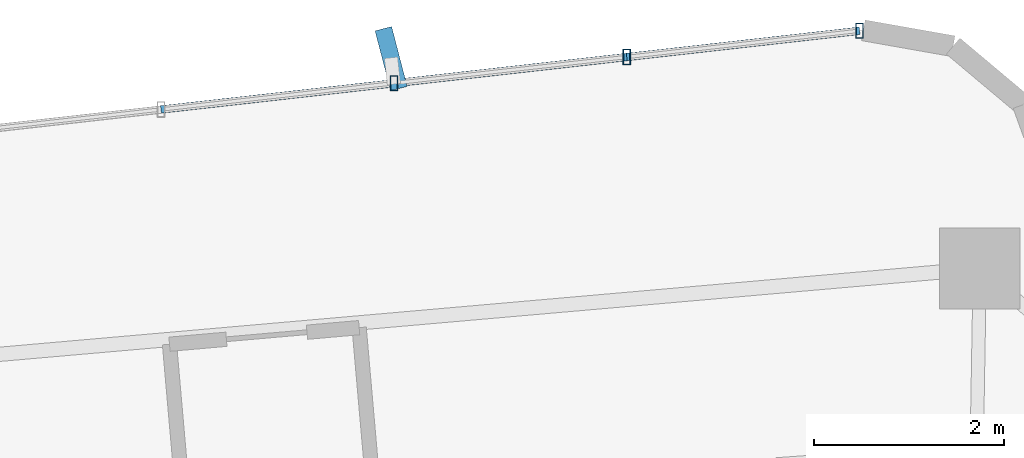
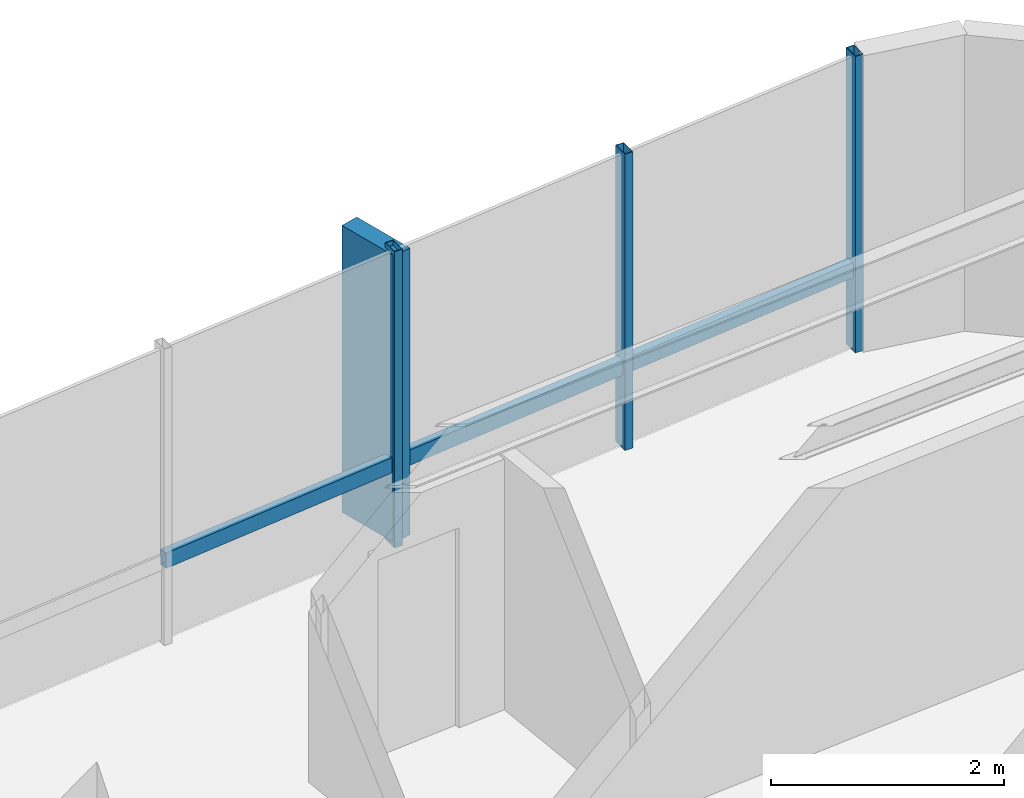
# One storey, part 18 of 24: 7 members, 1 element without a shape of its own.
"""IFC4 building model written with IfcOpenShell, lengths in metres."""

from ifc_helpers import new_model, si_unit, direction, frame, origin, origin_2d, place, context, subcontext, project, spatial, rectangle, hollow_rectangle, extrude, source, transform, mapped, material, material_profile, profile_set, type_object, element, aggregate, save


model = new_model("IFC4")

# Units and contexts
model_context = context("Model", 3, precision=1e-05, world=origin(), true_north=direction((0.0, 1.0)))
body_context = subcontext(model_context, "Body", "Model", "MODEL_VIEW")
ifc_project = project(units=[si_unit("LENGTHUNIT", "METRE"), si_unit("AREAUNIT", "SQUARE_METRE"), si_unit("VOLUMEUNIT", "CUBIC_METRE"), si_unit("PLANEANGLEUNIT", "RADIAN"), si_unit("MASSUNIT", "GRAM", prefix="KILO")], contexts=[model_context])

# Site, building, storey
site_placement = place(None, origin())
site = spatial("IfcSite", under=ifc_project, at=site_placement, CompositionType="ELEMENT")
building_placement = place(site_placement, origin())
building = spatial("IfcBuilding", under=site, at=building_placement, Name="Sahyath Konkavel Grand Hotel", CompositionType="ELEMENT")
storey_placement = place(building_placement, frame((0.0, 0.0, 164.0)))
storey = spatial("IfcBuildingStorey", under=building, at=storey_placement, Name="L45", CompositionType="ELEMENT", Elevation=164.0)

# Curtain wall, members
ifc_material_1 = material(Name="Anodised Bronze Aluminium & Low-E Glazing", Category="aluminium")
curtain_wall_type = type_object("IfcCurtainWallType", Name="CW-ZONE3", PredefinedType="NOTDEFINED", material=ifc_material_1)
curtain_wall_placement = place(storey_placement, origin())
curtain_wall = element("IfcCurtainWall", 1, at=curtain_wall_placement, inside=storey, type_object=curtain_wall_type, Name="L45 Unitised Curtain Wall F12", PredefinedType="NOTDEFINED")
ifc_material_2 = material(Name="Warm Buff Sandstone Cladding on Concrete C50/60", Category="masonry")
ifc_material_profile_1 = material_profile(ifc_material_2, rectangle(XDim=0.179931640625, YDim=0.64990234375, at=origin_2d()), Name="FIN 180x650")
ifc_profile_set_1 = profile_set([ifc_material_profile_1], Name="Warm Buff Sandstone Cladding on Concrete C50/60")
member_type_1 = type_object("IfcMemberType", Name="FIN-SANDSTONE-650", PredefinedType="MULLION", material=ifc_profile_set_1)
shared_shape_1 = source(origin(), body_context, "Body", "SweptSolid", [
    extrude(rectangle(XDim=0.179931640625, YDim=0.64990234375, at=origin_2d()), origin(), (0.0, 0.0, 1.0), 3.010009765625),
])
member_1_placement = place(storey_placement, frame((-2.248291015625, 20.3173828125, 0.050048828125), z_axis=(0.0, 0.0, 1.0), x_axis=(0.967884912253, 0.251393708421, 0.0)))
member_1 = element("IfcMember", 2, at=member_1_placement, type_object=member_type_1, Name="L45 Sandstone Vertical Solar Fin FIN F12-2", PredefinedType="MULLION", context=body_context, shape_type="MappedRepresentation", body=[
    mapped(shared_shape_1, transform((0.0, 0.0, 0.0), scale=1.0)),
])
ifc_material_3 = material(Name="Anodised Bronze Aluminium", Category="aluminium")
ifc_material_profile_2 = material_profile(ifc_material_3, hollow_rectangle(XDim=0.080078125, YDim=0.159912109375, WallThickness=0.006103515625, at=origin_2d()), Name="RHS 160x80x6")
ifc_profile_set_2 = profile_set([ifc_material_profile_2], Name="Anodised Bronze Aluminium")
member_type_2 = type_object("IfcMemberType", Name="CW-MUL-160", PredefinedType="MULLION", material=ifc_profile_set_2)
shared_shape_2 = source(origin(), body_context, "Body", "SweptSolid", [
    extrude(hollow_rectangle(XDim=0.080078125, YDim=0.159912109375, WallThickness=0.006103515625, at=origin_2d()), origin(), (0.0, 0.0, 1.0), 3.110107421875),
])
member_2_placement = place(storey_placement, frame((2.673828125, 20.610595703125, 0.0), z_axis=(0.0, 0.0, 1.0), x_axis=(1.0, 0.0, 0.0)))
member_2 = element("IfcMember", 3, at=member_2_placement, type_object=member_type_2, Name="L45 Curtain Wall Mullion F12-0", PredefinedType="MULLION", context=body_context, shape_type="MappedRepresentation", body=[
    mapped(shared_shape_2, transform((0.0, 0.0, 0.0), scale=1.0)),
])
member_3_placement = place(storey_placement, frame((0.227294921875, 20.334716796875, 0.0), z_axis=(0.0, 0.0, 1.0), x_axis=(1.0, 0.0, 0.0)))
member_3 = element("IfcMember", 4, at=member_3_placement, type_object=member_type_2, Name="L45 Curtain Wall Mullion F12-1", PredefinedType="MULLION", context=body_context, shape_type="MappedRepresentation", body=[
    mapped(shared_shape_2, transform((0.0, 0.0, 0.0), scale=1.0)),
])
member_4_placement = place(storey_placement, frame((-2.21923828125, 20.05908203125, 0.0), z_axis=(0.0, 0.0, 1.0), x_axis=(1.0, 0.0, 0.0)))
member_4 = element("IfcMember", 5, at=member_4_placement, type_object=member_type_2, Name="L45 Curtain Wall Mullion F12-2", PredefinedType="MULLION", context=body_context, shape_type="MappedRepresentation", body=[
    mapped(shared_shape_2, transform((0.0, 0.0, 0.0), scale=1.0)),
])
ifc_material_profile_3 = material_profile(ifc_material_3, hollow_rectangle(XDim=0.080078125, YDim=0.159912109375, WallThickness=0.006103515625, at=origin_2d()), Name="RHS 160x80x6")
ifc_profile_set_3 = profile_set([ifc_material_profile_3], Name="Anodised Bronze Aluminium")
member_type_3 = type_object("IfcMemberType", Name="CW-TRN-160", PredefinedType="USERDEFINED", material=ifc_profile_set_3)
shared_shape_3 = source(origin(), body_context, "Body", "SweptSolid", [
    extrude(hollow_rectangle(XDim=0.080078125, YDim=0.159912109375, WallThickness=0.006103515625, at=origin_2d()), origin(), (0.0, 0.0, 1.0), 2.462158203125),
])
member_5_placement = place(storey_placement, frame((2.673828125, 20.610595703125, 0.85009765625), z_axis=(-0.99370222711, -0.112053040279, 0.0), x_axis=(0.112053040279, -0.99370222711, 0.0)))
member_5 = element("IfcMember", 6, at=member_5_placement, type_object=member_type_3, Name="L45 Curtain Wall Transom F12-0-spandrel", ObjectType="TRANSOM", PredefinedType="USERDEFINED", context=body_context, shape_type="MappedRepresentation", body=[
    mapped(shared_shape_3, transform((0.0, 0.0, 0.0), scale=1.0)),
])
member_6_placement = place(storey_placement, frame((-2.21923828125, 20.05908203125, 0.85009765625), z_axis=(-0.99370222711, -0.112053040279, 0.0), x_axis=(0.112053040279, -0.99370222711, 0.0)))
member_6 = element("IfcMember", 7, at=member_6_placement, type_object=member_type_3, Name="L45 Curtain Wall Transom F12-2-spandrel", ObjectType="TRANSOM", PredefinedType="USERDEFINED", context=body_context, shape_type="MappedRepresentation", body=[
    mapped(shared_shape_3, transform((0.0, 0.0, 0.0), scale=1.0)),
])
shared_shape_4 = source(origin(), body_context, "Body", "SweptSolid", [
    extrude(hollow_rectangle(XDim=0.080078125, YDim=0.159912109375, WallThickness=0.006103515625, at=origin_2d()), origin(), (0.0, 0.0, 1.0), 2.4619140625),
])
member_7_placement = place(storey_placement, frame((0.227294921875, 20.334716796875, 0.85009765625), z_axis=(-0.993713263833, -0.111955121731, 0.0), x_axis=(0.111955121731, -0.993713263833, 0.0)))
member_7 = element("IfcMember", 8, at=member_7_placement, type_object=member_type_3, Name="L45 Curtain Wall Transom F12-1-spandrel", ObjectType="TRANSOM", PredefinedType="USERDEFINED", context=body_context, shape_type="MappedRepresentation", body=[
    mapped(shared_shape_4, transform((0.0, 0.0, 0.0), scale=1.0)),
])
aggregate(curtain_wall, [member_2, member_3, member_4, member_1, member_5, member_7, member_6])

save(model, "model.ifc")
